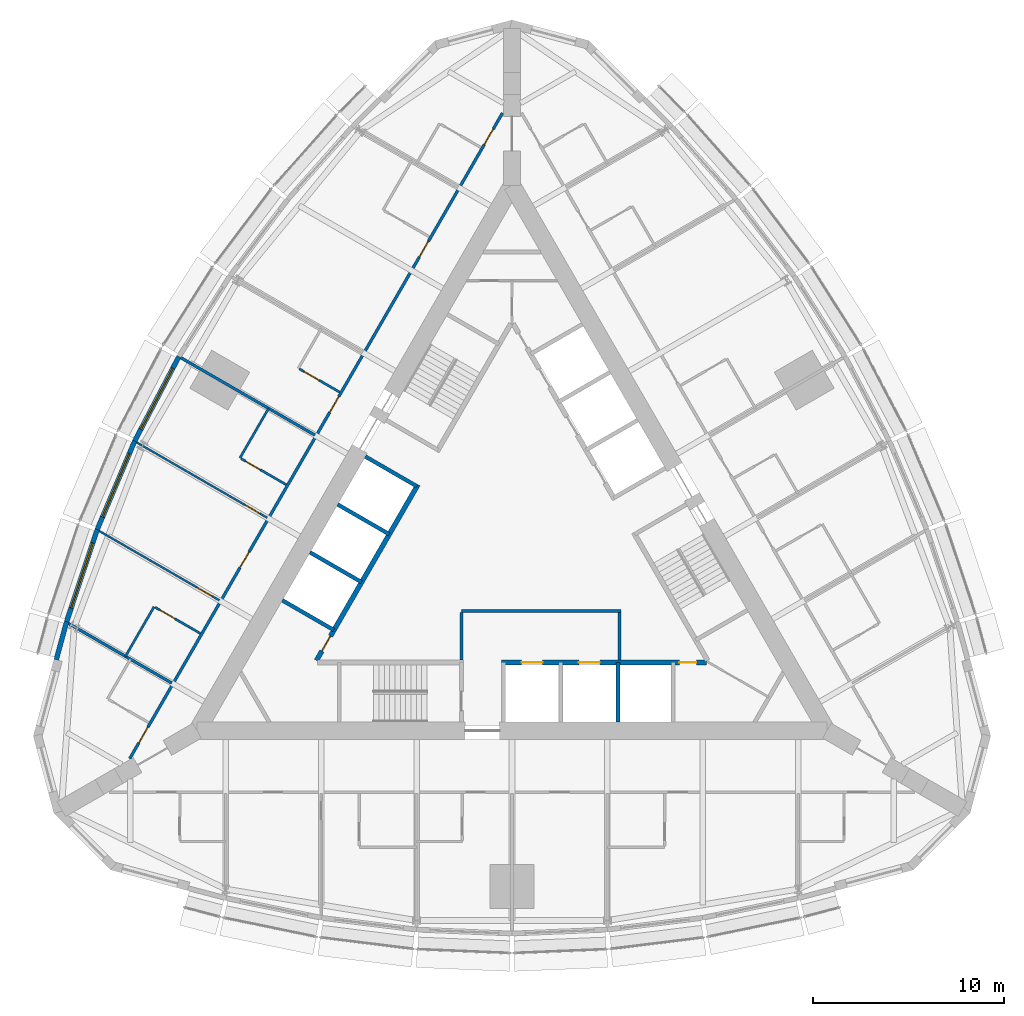
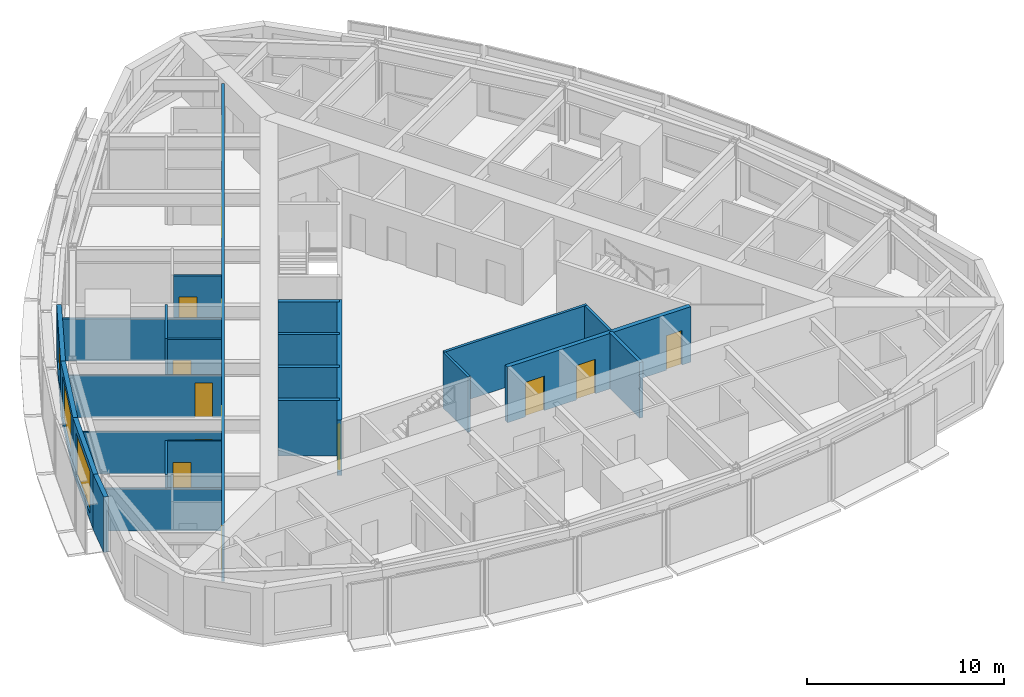
# One storey, part 10 of 15: 24 walls, 14 doors, 3 windows, 17 openings.
"""IFC4 building model written with IfcOpenShell, lengths in metres."""

from ifc_helpers import new_model, si_unit, direction, frame, frame_2d, origin, place, context, subcontext, project, spatial, rectangle, extrude, material, layer, layer_set, type_object, element, fill, save


model = new_model("IFC4")

# Units and contexts
model_context = context("Model", 3, precision=1e-05, world=origin(), true_north=direction((0.0, 1.0)))
body_context = subcontext(model_context, "Body", "Model", "MODEL_VIEW")
ifc_project = project(units=[si_unit("LENGTHUNIT", "METRE"), si_unit("AREAUNIT", "SQUARE_METRE"), si_unit("VOLUMEUNIT", "CUBIC_METRE"), si_unit("PLANEANGLEUNIT", "RADIAN"), si_unit("MASSUNIT", "GRAM", prefix="KILO")], contexts=[model_context])

# Site, building, storey
site_placement = place(None, origin())
site = spatial("IfcSite", under=ifc_project, at=site_placement, CompositionType="ELEMENT")
building_placement = place(site_placement, origin())
building = spatial("IfcBuilding", under=site, at=building_placement, Name="Trikona Tower", CompositionType="ELEMENT")
storey_placement = place(building_placement, frame((0.0, 0.0, 200.89990234375)))
storey = spatial("IfcBuildingStorey", under=building, at=storey_placement, Name="L53", CompositionType="ELEMENT", Elevation=200.89990234375)

# Wall, opening, door
ifc_material_1 = material(Name="Metal stud and cement board", Category="gypsum")
ifc_layer_1 = layer(ifc_material_1, 0.1201171875)
ifc_layer_set_1 = layer_set([ifc_layer_1], Name="Bathroom wall 120")
wall_type_1 = type_object("IfcWallType", Name="Bathroom wall 120", PredefinedType="PLUMBINGWALL", material=ifc_layer_set_1)
wall_1_placement = place(storey_placement, frame((-9.028564453125, 8.21484375, 0.0), z_axis=(0.0, 0.0, 1.0), x_axis=(-0.866023955769, 0.500002508028, 0.0)))
wall_1 = element("IfcWall", 1, at=wall_1_placement, inside=storey, type_object=wall_type_1, Name="Bathroom wall 5314", PredefinedType="PLUMBINGWALL", context=body_context, shape_type="SweptSolid", body=[
    extrude(rectangle(XDim=2.43994140625, YDim=0.1201171875, at=frame_2d((1.219970703125, 0.0))), origin(), (0.0, 0.0, 1.0), 3.43505859375),
])
opening_1_placement = place(wall_1_placement, frame((1.25, 0.0, 0.0)))
opening_1 = element("IfcOpeningElement", 2, at=opening_1_placement, cuts=wall_1, Name="Opening D2", PredefinedType="OPENING", context=body_context, shape_type="SweptSolid", body=[
    extrude(rectangle(XDim=0.89990234375, YDim=2.1298828125, at=frame_2d((0.449951171875, 1.06494140625))), frame((0.0, 0.070068359375, 0.0), z_axis=(0.0, -1.0, 0.0), x_axis=(1.0, 0.0, 0.0)), (0.0, 0.0, 1.0), 0.14013671875),
])
ifc_material_2 = material(Name="Steel door frame with solid-core timber leaf", Category="steel")
door_type_1 = type_object("IfcDoorType", Name="Bathroom door 900x2130", OperationType="SLIDING_TO_LEFT", PredefinedType="DOOR", material=ifc_material_2)
door_1_placement = place(opening_1_placement, origin())
door_1 = element("IfcDoor", 3, at=door_1_placement, inside=storey, type_object=door_type_1, Name="Bathroom door 5314", OperationType="SLIDING_TO_LEFT", OverallHeight=2.1298828125, OverallWidth=0.89990234375, PredefinedType="DOOR", context=body_context, shape_type="SweptSolid", body=[
    extrude(rectangle(XDim=0.89990234375, YDim=2.1298828125, at=frame_2d((0.449951171875, 1.06494140625))), frame((0.0, 0.02490234375, 0.0), z_axis=(0.0, -1.0, 0.0), x_axis=(1.0, 0.0, 0.0)), (0.0, 0.0, 1.0), 0.050048828125),
])
fill(opening_1, door_1)

# Wall
wall_2_placement = place(storey_placement, frame((-12.75341796875, 7.363037109375, 0.0), z_axis=(0.0, 0.0, 1.0), x_axis=(-0.50002537861, -0.866010750942, 0.0)))
element("IfcWall", 4, at=wall_2_placement, inside=storey, type_object=wall_type_1, Name="Bathroom wall 5315.1", PredefinedType="PLUMBINGWALL", context=body_context, shape_type="SweptSolid", body=[
    extrude(rectangle(XDim=2.999755859375, YDim=0.1201171875, at=frame_2d((1.5, 0.0))), origin(), (0.0, 0.0, 1.0), 3.43505859375),
])

# Wall, opening, door
wall_3_placement = place(storey_placement, frame((-11.82861328125, 3.364990234375, 0.0), z_axis=(0.0, 0.0, 1.0), x_axis=(-0.865997131366, 0.500048966069, 0.0)))
wall_3 = element("IfcWall", 5, at=wall_3_placement, inside=storey, type_object=wall_type_1, Name="Bathroom wall 5315.1", PredefinedType="PLUMBINGWALL", context=body_context, shape_type="SweptSolid", body=[
    extrude(rectangle(XDim=2.739990234375, YDim=0.1201171875, at=frame_2d((1.3701171875, 0.0))), origin(), (0.0, 0.0, 1.0), 3.43505859375),
])
opening_2_placement = place(wall_3_placement, frame((1.550048828125, 0.0, 0.0)))
opening_2 = element("IfcOpeningElement", 6, at=opening_2_placement, cuts=wall_3, Name="Opening D2", PredefinedType="OPENING", context=body_context, shape_type="SweptSolid", body=[
    extrude(rectangle(XDim=0.89990234375, YDim=2.1298828125, at=frame_2d((0.449951171875, 1.06494140625))), frame((0.0, 0.070068359375, 0.0), z_axis=(0.0, -1.0, 0.0), x_axis=(1.0, 0.0, 0.0)), (0.0, 0.0, 1.0), 0.14013671875),
])
door_2_placement = place(opening_2_placement, origin())
door_2 = element("IfcDoor", 7, at=door_2_placement, inside=storey, type_object=door_type_1, Name="Bathroom door 5315.1", OperationType="SLIDING_TO_LEFT", OverallHeight=2.1298828125, OverallWidth=0.89990234375, PredefinedType="DOOR", context=body_context, shape_type="SweptSolid", body=[
    extrude(rectangle(XDim=0.89990234375, YDim=2.1298828125, at=frame_2d((0.449951171875, 1.06494140625))), frame((0.0, 0.02490234375, 0.0), z_axis=(0.0, -1.0, 0.0), x_axis=(1.0, 0.0, 0.0)), (0.0, 0.0, 1.0), 0.050048828125),
])
fill(opening_2, door_2)

# Wall
wall_4_placement = place(storey_placement, frame((-18.75341796875, -3.029296875, 0.0), z_axis=(0.0, 0.0, 1.0), x_axis=(-0.50002537861, -0.866010750942, 0.0)))
element("IfcWall", 8, at=wall_4_placement, inside=storey, type_object=wall_type_1, Name="Bathroom wall 5315.2", PredefinedType="PLUMBINGWALL", context=body_context, shape_type="SweptSolid", body=[
    extrude(rectangle(XDim=2.999755859375, YDim=0.1201171875, at=frame_2d((1.5, 0.0))), origin(), (0.0, 0.0, 1.0), 3.43505859375),
])

# Wall, opening, door
wall_5_placement = place(storey_placement, frame((-16.32861328125, -4.42919921875, 0.0), z_axis=(0.0, 0.0, 1.0), x_axis=(-0.865997131366, 0.500048966069, 0.0)))
wall_5 = element("IfcWall", 9, at=wall_5_placement, inside=storey, type_object=wall_type_1, Name="Bathroom wall 5315.2", PredefinedType="PLUMBINGWALL", context=body_context, shape_type="SweptSolid", body=[
    extrude(rectangle(XDim=2.739990234375, YDim=0.1201171875, at=frame_2d((1.3701171875, 0.0))), origin(), (0.0, 0.0, 1.0), 3.43505859375),
])
opening_3_placement = place(wall_5_placement, frame((1.550048828125, 0.0, 0.0)))
opening_3 = element("IfcOpeningElement", 10, at=opening_3_placement, cuts=wall_5, Name="Opening D2", PredefinedType="OPENING", context=body_context, shape_type="SweptSolid", body=[
    extrude(rectangle(XDim=0.89990234375, YDim=2.1298828125, at=frame_2d((0.449951171875, 1.06494140625))), frame((0.0, 0.070068359375, 0.0), z_axis=(0.0, -1.0, 0.0), x_axis=(1.0, 0.0, 0.0)), (0.0, 0.0, 1.0), 0.14013671875),
])
door_3_placement = place(opening_3_placement, origin())
door_3 = element("IfcDoor", 11, at=door_3_placement, inside=storey, type_object=door_type_1, Name="Bathroom door 5315.2", OperationType="SLIDING_TO_LEFT", OverallHeight=2.1298828125, OverallWidth=0.89990234375, PredefinedType="DOOR", context=body_context, shape_type="SweptSolid", body=[
    extrude(rectangle(XDim=0.89990234375, YDim=2.1298828125, at=frame_2d((0.449951171875, 1.06494140625))), frame((0.0, 0.02490234375, 0.0), z_axis=(0.0, -1.0, 0.0), x_axis=(1.0, 0.0, 0.0)), (0.0, 0.0, 1.0), 0.050048828125),
])
fill(opening_3, door_3)

# Wall, openings, doors
ifc_material_3 = material(Name="Metal stud and gypsum board, 1-hour", Category="gypsum")
ifc_layer_2 = layer(ifc_material_3, 0.14990234375)
ifc_layer_set_2 = layer_set([ifc_layer_2], Name="Corridor wall 150")
wall_type_2 = type_object("IfcWallType", Name="Corridor wall 150", PredefinedType="PARTITIONING", material=ifc_layer_set_2)
wall_6_placement = place(storey_placement, frame((-0.5, 22.83642578125, 0.0), z_axis=(0.0, 0.0, 1.0), x_axis=(-0.500001677587, -0.866024435227, 0.0)))
wall_6 = element("IfcWall", 12, at=wall_6_placement, inside=storey, type_object=wall_type_2, Name="Corridor wall L53-3", PredefinedType="PARTITIONING", context=body_context, shape_type="SweptSolid", body=[
    extrude(rectangle(XDim=39.053955078125, YDim=0.14990234375, at=frame_2d((19.52685546875, 0.0))), origin(), (0.0, 0.0, 1.0), 3.43505859375),
])
opening_4_placement = place(wall_6_placement, frame((0.951904296875, 0.0, 0.0)))
opening_4 = element("IfcOpeningElement", 13, at=opening_4_placement, cuts=wall_6, Name="Opening D1", PredefinedType="OPENING", context=body_context, shape_type="SweptSolid", body=[
    extrude(rectangle(XDim=0.949951171875, YDim=2.1298828125, at=frame_2d((0.47509765625, 1.06494140625))), frame((0.0, 0.0849609375, 0.0), z_axis=(0.0, -1.0, 0.0), x_axis=(1.0, 0.0, 0.0)), (0.0, 0.0, 1.0), 0.169921875),
])
opening_5_placement = place(wall_6_placement, frame((7.751953125, 0.0, 0.0)))
opening_5 = element("IfcOpeningElement", 14, at=opening_5_placement, cuts=wall_6, Name="Opening D1", PredefinedType="OPENING", context=body_context, shape_type="SweptSolid", body=[
    extrude(rectangle(XDim=0.949951171875, YDim=2.1298828125, at=frame_2d((0.47509765625, 1.06494140625))), frame((0.0, 0.0849609375, 0.0), z_axis=(0.0, -1.0, 0.0), x_axis=(1.0, 0.0, 0.0)), (0.0, 0.0, 1.0), 0.169921875),
])
opening_6_placement = place(wall_6_placement, frame((17.152099609375, 0.0, 0.0)))
opening_6 = element("IfcOpeningElement", 15, at=opening_6_placement, cuts=wall_6, Name="Opening D1", PredefinedType="OPENING", context=body_context, shape_type="SweptSolid", body=[
    extrude(rectangle(XDim=0.949951171875, YDim=2.1298828125, at=frame_2d((0.47509765625, 1.06494140625))), frame((0.0, 0.0849609375, 0.0), z_axis=(0.0, -1.0, 0.0), x_axis=(1.0, 0.0, 0.0)), (0.0, 0.0, 1.0), 0.169921875),
])
opening_7_placement = place(wall_6_placement, frame((26.552001953125, 0.0, 0.0)))
opening_7 = element("IfcOpeningElement", 16, at=opening_7_placement, cuts=wall_6, Name="Opening D1", PredefinedType="OPENING", context=body_context, shape_type="SweptSolid", body=[
    extrude(rectangle(XDim=0.949951171875, YDim=2.1298828125, at=frame_2d((0.47509765625, 1.06494140625))), frame((0.0, 0.0849609375, 0.0), z_axis=(0.0, -1.0, 0.0), x_axis=(1.0, 0.0, 0.0)), (0.0, 0.0, 1.0), 0.169921875),
])
opening_8_placement = place(wall_6_placement, frame((37.152099609375, 0.0, 0.0)))
opening_8 = element("IfcOpeningElement", 17, at=opening_8_placement, cuts=wall_6, Name="Opening D1", PredefinedType="OPENING", context=body_context, shape_type="SweptSolid", body=[
    extrude(rectangle(XDim=0.949951171875, YDim=2.1298828125, at=frame_2d((0.47509765625, 1.06494140625))), frame((0.0, 0.0849609375, 0.0), z_axis=(0.0, -1.0, 0.0), x_axis=(1.0, 0.0, 0.0)), (0.0, 0.0, 1.0), 0.169921875),
])
ifc_material_4 = material(Name="Steel door frame with solid-core timber leaf", Category="steel")
door_type_2 = type_object("IfcDoorType", Name="Guest room door 950x2130", OperationType="SINGLE_SWING_LEFT", PredefinedType="DOOR", material=ifc_material_4)
door_4_placement = place(opening_4_placement, origin())
door_4 = element("IfcDoor", 18, at=door_4_placement, inside=storey, type_object=door_type_2, Name="Room door 5312", OperationType="SINGLE_SWING_LEFT", OverallHeight=2.1298828125, OverallWidth=0.949951171875, PredefinedType="DOOR", context=body_context, shape_type="SweptSolid", body=[
    extrude(rectangle(XDim=0.949951171875, YDim=2.1298828125, at=frame_2d((0.47509765625, 1.06494140625))), frame((0.0, 0.02490234375, 0.0), z_axis=(0.0, -1.0, 0.0), x_axis=(1.0, 0.0, 0.0)), (0.0, 0.0, 1.0), 0.050048828125),
])
fill(opening_4, door_4)
door_5_placement = place(opening_5_placement, origin())
door_5 = element("IfcDoor", 19, at=door_5_placement, inside=storey, type_object=door_type_2, Name="Room door 5313", OperationType="SINGLE_SWING_RIGHT", OverallHeight=2.1298828125, OverallWidth=0.949951171875, PredefinedType="DOOR", context=body_context, shape_type="SweptSolid", body=[
    extrude(rectangle(XDim=0.949951171875, YDim=2.1298828125, at=frame_2d((0.47509765625, 1.06494140625))), frame((0.0, 0.02490234375, 0.0), z_axis=(0.0, -1.0, 0.0), x_axis=(1.0, 0.0, 0.0)), (0.0, 0.0, 1.0), 0.050048828125),
])
fill(opening_5, door_5)
door_6_placement = place(opening_6_placement, origin())
door_6 = element("IfcDoor", 20, at=door_6_placement, inside=storey, type_object=door_type_2, Name="Room door 5314", OperationType="SINGLE_SWING_LEFT", OverallHeight=2.1298828125, OverallWidth=0.949951171875, PredefinedType="DOOR", context=body_context, shape_type="SweptSolid", body=[
    extrude(rectangle(XDim=0.949951171875, YDim=2.1298828125, at=frame_2d((0.47509765625, 1.06494140625))), frame((0.0, 0.02490234375, 0.0), z_axis=(0.0, -1.0, 0.0), x_axis=(1.0, 0.0, 0.0)), (0.0, 0.0, 1.0), 0.050048828125),
])
fill(opening_6, door_6)
door_7_placement = place(opening_7_placement, origin())
door_7 = element("IfcDoor", 21, at=door_7_placement, inside=storey, type_object=door_type_2, Name="Room door 5315", OperationType="SINGLE_SWING_RIGHT", OverallHeight=2.1298828125, OverallWidth=0.949951171875, PredefinedType="DOOR", context=body_context, shape_type="SweptSolid", body=[
    extrude(rectangle(XDim=0.949951171875, YDim=2.1298828125, at=frame_2d((0.47509765625, 1.06494140625))), frame((0.0, 0.02490234375, 0.0), z_axis=(0.0, -1.0, 0.0), x_axis=(1.0, 0.0, 0.0)), (0.0, 0.0, 1.0), 0.050048828125),
])
fill(opening_7, door_7)
door_8_placement = place(opening_8_placement, origin())
door_8 = element("IfcDoor", 22, at=door_8_placement, inside=storey, type_object=door_type_2, Name="Room door 5316", OperationType="SINGLE_SWING_RIGHT", OverallHeight=2.1298828125, OverallWidth=0.949951171875, PredefinedType="DOOR", context=body_context, shape_type="SweptSolid", body=[
    extrude(rectangle(XDim=0.949951171875, YDim=2.1298828125, at=frame_2d((0.47509765625, 1.06494140625))), frame((0.0, 0.02490234375, 0.0), z_axis=(0.0, -1.0, 0.0), x_axis=(1.0, 0.0, 0.0)), (0.0, 0.0, 1.0), 0.050048828125),
])
fill(opening_8, door_8)

ifc_material_5 = material(Name="Concrete f'c 8000 psi", Category="concrete")
ifc_layer_3 = layer(ifc_material_5, 0.25)
ifc_layer_set_3 = layer_set([ifc_layer_3], Name="Hub wall 250")
wall_type_3 = type_object("IfcWallType", Name="Hub wall 250", PredefinedType="SOLIDWALL", material=ifc_layer_set_3)
wall_7_placement = place(storey_placement, frame((-0.550048828125, -5.951416015625, 0.0), z_axis=(0.0, 0.0, 1.0), x_axis=(1.0, 0.0, 0.0)))
wall_7 = element("IfcWall", 23, at=wall_7_placement, inside=storey, type_object=wall_type_3, Name="Lift lobby wall A2", PredefinedType="SOLIDWALL", context=body_context, shape_type="SweptSolid", body=[
    extrude(rectangle(XDim=10.73291015625, YDim=0.25, at=frame_2d((5.366455078125, 0.0))), origin(), (0.0, 0.0, 1.0), 3.43505859375),
])
opening_9_placement = place(wall_7_placement, frame((9.31396484375, 0.0, 0.0)))
opening_9 = element("IfcOpeningElement", 24, at=opening_9_placement, cuts=wall_7, Name="Opening D14", PredefinedType="OPENING", context=body_context, shape_type="SweptSolid", body=[
    extrude(rectangle(XDim=0.89990234375, YDim=2.1298828125, at=frame_2d((0.449951171875, 1.06494140625))), frame((0.0, 0.135009765625, 0.0), z_axis=(0.0, -1.0, 0.0), x_axis=(1.0, 0.0, 0.0)), (0.0, 0.0, 1.0), 0.27001953125),
])
opening_10_placement = place(wall_7_placement, frame((1.050048828125, 0.0, 0.0)))
opening_10 = element("IfcOpeningElement", 25, at=opening_10_placement, cuts=wall_7, Name="Opening LD", PredefinedType="OPENING", context=body_context, shape_type="SweptSolid", body=[
    extrude(rectangle(XDim=1.10009765625, YDim=2.1298828125, at=frame_2d((0.550048828125, 1.06494140625))), frame((0.0, 0.135009765625, 0.0), z_axis=(0.0, -1.0, 0.0), x_axis=(1.0, 0.0, 0.0)), (0.0, 0.0, 1.0), 0.27001953125),
])
opening_11_placement = place(wall_7_placement, frame((4.050048828125, 0.0, 0.0)))
opening_11 = element("IfcOpeningElement", 26, at=opening_11_placement, cuts=wall_7, Name="Opening LD", PredefinedType="OPENING", context=body_context, shape_type="SweptSolid", body=[
    extrude(rectangle(XDim=1.10009765625, YDim=2.1298828125, at=frame_2d((0.550048828125, 1.06494140625))), frame((0.0, 0.135009765625, 0.0), z_axis=(0.0, -1.0, 0.0), x_axis=(1.0, 0.0, 0.0)), (0.0, 0.0, 1.0), 0.27001953125),
])
ifc_material_6 = material(Name="Stainless steel lift landing door", Category="steel")
door_type_3 = type_object("IfcDoorType", Name="Lift landing door 1100x2130", OperationType="DOUBLE_DOOR_SLIDING", PredefinedType="USERDEFINED", material=ifc_material_6)
door_9_placement = place(opening_10_placement, origin())
door_9 = element("IfcDoor", 27, at=door_9_placement, inside=storey, type_object=door_type_3, Name="Lift landing door FF1", ObjectType="LIFT LANDING DOOR", OperationType="DOUBLE_DOOR_SLIDING", OverallHeight=2.1298828125, OverallWidth=1.10009765625, PredefinedType="USERDEFINED", context=body_context, shape_type="SweptSolid", body=[
    extrude(rectangle(XDim=1.10009765625, YDim=2.1298828125, at=frame_2d((0.550048828125, 1.06494140625))), frame((0.0, 0.02490234375, 0.0), z_axis=(0.0, -1.0, 0.0), x_axis=(1.0, 0.0, 0.0)), (0.0, 0.0, 1.0), 0.050048828125),
])
fill(opening_10, door_9)
door_10_placement = place(opening_11_placement, origin())
door_10 = element("IfcDoor", 28, at=door_10_placement, inside=storey, type_object=door_type_3, Name="Lift landing door FF2", ObjectType="LIFT LANDING DOOR", OperationType="DOUBLE_DOOR_SLIDING", OverallHeight=2.1298828125, OverallWidth=1.10009765625, PredefinedType="USERDEFINED", context=body_context, shape_type="SweptSolid", body=[
    extrude(rectangle(XDim=1.10009765625, YDim=2.1298828125, at=frame_2d((0.550048828125, 1.06494140625))), frame((0.0, 0.02490234375, 0.0), z_axis=(0.0, -1.0, 0.0), x_axis=(1.0, 0.0, 0.0)), (0.0, 0.0, 1.0), 0.050048828125),
])
fill(opening_11, door_10)
ifc_material_7 = material(Name="Hollow metal door and frame", Category="steel")
door_type_4 = type_object("IfcDoorType", Name="Service room door 900x2130", OperationType="SINGLE_SWING_LEFT", PredefinedType="DOOR", material=ifc_material_7)
door_11_placement = place(opening_9_placement, origin())
door_11 = element("IfcDoor", 29, at=door_11_placement, inside=storey, type_object=door_type_4, Name="Door Ice and vending ICE", OperationType="SINGLE_SWING_RIGHT", OverallHeight=2.1298828125, OverallWidth=0.89990234375, PredefinedType="DOOR", context=body_context, shape_type="SweptSolid", body=[
    extrude(rectangle(XDim=0.89990234375, YDim=2.1298828125, at=frame_2d((0.449951171875, 1.06494140625))), frame((0.0, 0.02490234375, 0.0), z_axis=(0.0, -1.0, 0.0), x_axis=(1.0, 0.0, 0.0)), (0.0, 0.0, 1.0), 0.050048828125),
])
fill(opening_9, door_11)

# Wall, opening, door
wall_8_placement = place(storey_placement, frame((-4.928955078125, 3.365478515625, 0.0), z_axis=(0.0, 0.0, 1.0), x_axis=(-0.499991433582, -0.866030349552, 0.0)))
wall_8 = element("IfcWall", 30, at=wall_8_placement, inside=storey, type_object=wall_type_3, Name="Lift lobby wall C2", PredefinedType="SOLIDWALL", context=body_context, shape_type="SweptSolid", body=[
    extrude(rectangle(XDim=10.633056640625, YDim=0.25, at=frame_2d((5.31640625, 0.0))), origin(), (0.0, 0.0, 1.0), 3.43505859375),
])
opening_12_placement = place(wall_8_placement, frame((9.1640625, 0.0, 0.0)))
opening_12 = element("IfcOpeningElement", 31, at=opening_12_placement, cuts=wall_8, Name="Opening D14", PredefinedType="OPENING", context=body_context, shape_type="SweptSolid", body=[
    extrude(rectangle(XDim=0.89990234375, YDim=2.1298828125, at=frame_2d((0.449951171875, 1.06494140625))), frame((0.0, 0.135009765625, 0.0), z_axis=(0.0, -1.0, 0.0), x_axis=(1.0, 0.0, 0.0)), (0.0, 0.0, 1.0), 0.27001953125),
])
door_12_placement = place(opening_12_placement, origin())
door_12 = element("IfcDoor", 32, at=door_12_placement, inside=storey, type_object=door_type_4, Name="Door Linen store LIN", OperationType="SINGLE_SWING_RIGHT", OverallHeight=2.1298828125, OverallWidth=0.89990234375, PredefinedType="DOOR", context=body_context, shape_type="SweptSolid", body=[
    extrude(rectangle(XDim=0.89990234375, YDim=2.1298828125, at=frame_2d((0.449951171875, 1.06494140625))), frame((0.0, 0.02490234375, 0.0), z_axis=(0.0, -1.0, 0.0), x_axis=(1.0, 0.0, 0.0)), (0.0, 0.0, 1.0), 0.050048828125),
])
fill(opening_12, door_12)

# Wall, opening, window
ifc_material_8 = material(Name="Insulated precast concrete spandrel panel", Category="concrete")
ifc_layer_4 = layer(ifc_material_8, 0.25)
ifc_layer_set_4 = layer_set([ifc_layer_4], Name="Inner skin wall 250")
wall_type_4 = type_object("IfcWallType", Name="Inner skin wall 250", PredefinedType="STANDARD", material=ifc_layer_set_4)
wall_9_placement = place(storey_placement, frame((-17.450439453125, 10.080810546875, 0.0), z_axis=(0.0, 0.0, 1.0), x_axis=(-0.463976002579, -0.885847768542, 0.0)))
wall_9 = element("IfcWall", 33, at=wall_9_placement, inside=storey, type_object=wall_type_4, Name="External wall L53-28", PredefinedType="STANDARD", context=body_context, shape_type="SweptSolid", body=[
    extrude(rectangle(XDim=5.004150390625, YDim=0.25, at=frame_2d((2.501953125, 0.0))), origin(), (0.0, 0.0, 1.0), 3.43505859375),
])
opening_13_placement = place(wall_9_placement, frame((0.7021484375, 0.0, 0.449951171875)))
opening_13 = element("IfcOpeningElement", 34, at=opening_13_placement, cuts=wall_9, Name="Opening W3626", PredefinedType="OPENING", context=body_context, shape_type="SweptSolid", body=[
    extrude(rectangle(XDim=3.60009765625, YDim=2.60009765625, at=frame_2d((1.800048828125, 1.300048828125))), frame((0.0, 0.135009765625, 0.0), z_axis=(0.0, -1.0, 0.0), x_axis=(1.0, 0.0, 0.0)), (0.0, 0.0, 1.0), 0.27001953125),
])
ifc_material_9 = material(Name="Aluminium-framed double glazing", Category="aluminium")
window_type = type_object("IfcWindowType", Name="Window 3600x2600", PartitioningType="SINGLE_PANEL", PredefinedType="WINDOW", material=ifc_material_9)
window_1_placement = place(opening_13_placement, origin())
window_1 = element("IfcWindow", 35, at=window_1_placement, inside=storey, type_object=window_type, Name="Window 5315.1", OverallHeight=2.60009765625, OverallWidth=3.60009765625, PartitioningType="SINGLE_PANEL", PredefinedType="WINDOW", context=body_context, shape_type="SweptSolid", body=[
    extrude(rectangle(XDim=3.60009765625, YDim=2.60009765625, at=frame_2d((1.800048828125, 1.300048828125))), frame((0.0, 0.030029296875, 0.0), z_axis=(0.0, -1.0, 0.0), x_axis=(1.0, 0.0, 0.0)), (0.0, 0.0, 1.0), 0.06005859375),
])
fill(opening_13, window_1)

wall_10_placement = place(storey_placement, frame((-19.767578125, 5.656982421875, 0.0), z_axis=(0.0, 0.0, 1.0), x_axis=(-0.390096809471, -0.920773848044, 0.0)))
wall_10 = element("IfcWall", 36, at=wall_10_placement, inside=storey, type_object=wall_type_4, Name="External wall L53-29", PredefinedType="STANDARD", context=body_context, shape_type="SweptSolid", body=[
    extrude(rectangle(XDim=5.0380859375, YDim=0.25, at=frame_2d((2.51904296875, 0.0))), origin(), (0.0, 0.0, 1.0), 3.43505859375),
])
opening_14_placement = place(wall_10_placement, frame((0.718994140625, 0.0, 0.449951171875)))
opening_14 = element("IfcOpeningElement", 37, at=opening_14_placement, cuts=wall_10, Name="Opening W3626", PredefinedType="OPENING", context=body_context, shape_type="SweptSolid", body=[
    extrude(rectangle(XDim=3.60009765625, YDim=2.60009765625, at=frame_2d((1.800048828125, 1.300048828125))), frame((0.0, 0.135009765625, 0.0), z_axis=(0.0, -1.0, 0.0), x_axis=(1.0, 0.0, 0.0)), (0.0, 0.0, 1.0), 0.27001953125),
])
window_2_placement = place(opening_14_placement, origin())
window_2 = element("IfcWindow", 38, at=window_2_placement, inside=storey, type_object=window_type, Name="Window 5315", OverallHeight=2.60009765625, OverallWidth=3.60009765625, PartitioningType="SINGLE_PANEL", PredefinedType="WINDOW", context=body_context, shape_type="SweptSolid", body=[
    extrude(rectangle(XDim=3.60009765625, YDim=2.60009765625, at=frame_2d((1.800048828125, 1.300048828125))), frame((0.0, 0.030029296875, 0.0), z_axis=(0.0, -1.0, 0.0), x_axis=(1.0, 0.0, 0.0)), (0.0, 0.0, 1.0), 0.06005859375),
])
fill(opening_14, window_2)

wall_11_placement = place(storey_placement, frame((-21.729248046875, 1.027587890625, 0.0), z_axis=(0.0, 0.0, 1.0), x_axis=(-0.315108478109, -0.949055660656, 0.0)))
wall_11 = element("IfcWall", 39, at=wall_11_placement, inside=storey, type_object=wall_type_4, Name="External wall L53-30", PredefinedType="STANDARD", context=body_context, shape_type="SweptSolid", body=[
    extrude(rectangle(XDim=5.10498046875, YDim=0.25, at=frame_2d((2.552490234375, 0.0))), origin(), (0.0, 0.0, 1.0), 3.43505859375),
])
opening_15_placement = place(wall_11_placement, frame((0.75244140625, 0.0, 0.449951171875)))
opening_15 = element("IfcOpeningElement", 40, at=opening_15_placement, cuts=wall_11, Name="Opening W3626", PredefinedType="OPENING", context=body_context, shape_type="SweptSolid", body=[
    extrude(rectangle(XDim=3.60009765625, YDim=2.60009765625, at=frame_2d((1.800048828125, 1.300048828125))), frame((0.0, 0.135009765625, 0.0), z_axis=(0.0, -1.0, 0.0), x_axis=(1.0, 0.0, 0.0)), (0.0, 0.0, 1.0), 0.27001953125),
])
window_3_placement = place(opening_15_placement, origin())
window_3 = element("IfcWindow", 41, at=window_3_placement, inside=storey, type_object=window_type, Name="Window 5315.2", OverallHeight=2.60009765625, OverallWidth=3.60009765625, PartitioningType="SINGLE_PANEL", PredefinedType="WINDOW", context=body_context, shape_type="SweptSolid", body=[
    extrude(rectangle(XDim=3.60009765625, YDim=2.60009765625, at=frame_2d((1.800048828125, 1.300048828125))), frame((0.0, 0.030029296875, 0.0), z_axis=(0.0, -1.0, 0.0), x_axis=(1.0, 0.0, 0.0)), (0.0, 0.0, 1.0), 0.06005859375),
])
fill(opening_15, window_3)

# Walls
wall_12_placement = place(storey_placement, frame((-23.335693359375, -3.810791015625, 0.0), z_axis=(0.0, 0.0, 1.0), x_axis=(-0.262867703986, -0.964831887015, 0.0)))
element("IfcWall", 42, at=wall_12_placement, inside=storey, type_object=wall_type_4, Name="External wall L53-31", PredefinedType="STANDARD", context=body_context, shape_type="SweptSolid", body=[
    extrude(rectangle(XDim=2.068359375, YDim=0.25, at=frame_2d((1.0341796875, 0.0))), origin(), (0.0, 0.0, 1.0), 3.43505859375),
])
ifc_material_10 = material(Name="Metal stud and gypsum board, 2-hour shaft wall", Category="gypsum")
ifc_layer_5 = layer(ifc_material_10, 0.14990234375)
ifc_layer_set_5 = layer_set([ifc_layer_5], Name="Lobby wall 150")
wall_type_5 = type_object("IfcWallType", Name="Lobby wall 150", PredefinedType="PARTITIONING", material=ifc_layer_set_5)
wall_13_placement = place(storey_placement, frame((-2.64990234375, -3.251220703125, 0.0), z_axis=(0.0, 0.0, 1.0), x_axis=(1.0, 0.0, 0.0)))
element("IfcWall", 43, at=wall_13_placement, inside=storey, type_object=wall_type_5, Name="Fire service lift lobby wall 1", PredefinedType="PARTITIONING", context=body_context, shape_type="SweptSolid", body=[
    extrude(rectangle(XDim=8.349853515625, YDim=0.14990234375, at=frame_2d((4.1748046875, 0.0))), origin(), (0.0, 0.0, 1.0), 3.43505859375),
])
for number, where, z_axis, x_axis, name in (
    (44, (-2.64990234375, -5.826416015625, 0.0), (0.0, 0.0, 1.0), (0.0, 1.0, 0.0), "Fire service lift lobby wall 2"),
    (45, (5.625, -5.826416015625, 0.0), (0.0, 0.0, 1.0), (0.0, 1.0, 0.0), "Fire service lift lobby wall 3"),
):
    element("IfcWall", number, at=place(storey_placement, frame(where, z_axis=z_axis, x_axis=x_axis)), inside=storey, type_object=wall_type_5, Name=name, PredefinedType="PARTITIONING", context=body_context, shape_type="SweptSolid", body=[
        extrude(rectangle(XDim=2.5, YDim=0.14990234375, at=frame_2d((1.25, 0.0))), origin(), (0.0, 0.0, 1.0), 3.43505859375),
    ])
ifc_material_11 = material(Name="Metal stud and gypsum board, 1-hour acoustic", Category="gypsum")
ifc_layer_6 = layer(ifc_material_11, 0.14990234375)
ifc_layer_set_6 = layer_set([ifc_layer_6], Name="Party wall 150")
wall_type_6 = type_object("IfcWallType", Name="Party wall 150", PredefinedType="PARTITIONING", material=ifc_layer_set_6)
wall_14_placement = place(storey_placement, frame((-10.32861328125, 5.963134765625, 0.0), z_axis=(0.0, 0.0, 1.0), x_axis=(-0.866016460812, 0.500015489362, 0.0)))
element("IfcWall", 46, at=wall_14_placement, inside=storey, type_object=wall_type_6, Name="Partition L53 F3 u0", PredefinedType="PARTITIONING", context=body_context, shape_type="SweptSolid", body=[
    extrude(rectangle(XDim=8.101318359375, YDim=0.14990234375, at=frame_2d((4.05078125, 0.0))), origin(), (0.0, 0.0, 1.0), 2.58935546875),
])
wall_15_placement = place(storey_placement, frame((-17.82861328125, -7.027099609375, 0.0), z_axis=(0.0, 0.0, 1.0), x_axis=(-0.866026604282, 0.499997920671, 0.0)))
element("IfcWall", 47, at=wall_15_placement, inside=storey, type_object=wall_type_6, Name="Partition L53 F3 u15", PredefinedType="PARTITIONING", context=body_context, shape_type="SweptSolid", body=[
    extrude(rectangle(XDim=6.23974609375, YDim=0.14990234375, at=frame_2d((3.119873046875, 0.0))), origin(), (0.0, 0.0, 1.0), 2.58935546875),
])
ifc_material_12 = material(Name="Concrete f'c 8000 psi", Category="concrete")
ifc_layer_7 = layer(ifc_material_12, 0.199951171875)
ifc_layer_set_7 = layer_set([ifc_layer_7], Name="Shaft wall 200")
wall_type_7 = type_object("IfcWallType", Name="Shaft wall 200", PredefinedType="SOLIDWALL", material=ifc_layer_set_7)
for number, where, z_axis, x_axis, name in (
    (48, (5.550048828125, -5.951416015625, 0.0), (0.0, 0.0, 1.0), (0.0, -1.0, 0.0), "Shaft wall A5"),
    (49, (-4.97900390625, 3.27880859375, 0.0), (0.0, 0.0, 1.0), (-0.866022959057, 0.500004234368, 0.0), "Shaft wall C3"),
    (50, (-6.428955078125, 0.767333984375, 0.0), (0.0, 0.0, 1.0), (-0.866022959057, 0.500004234368, 0.0), "Shaft wall C4"),
    (51, (-7.87890625, -1.744140625, 0.0), (0.0, 0.0, 1.0), (-0.866022959057, 0.500004234368, 0.0), "Shaft wall C5"),
    (52, (-9.3291015625, -4.255615234375, 0.0), (0.0, 0.0, 1.0), (-0.866022959057, 0.500004234368, 0.0), "Shaft wall C6"),
):
    element("IfcWall", number, at=place(storey_placement, frame(where, z_axis=z_axis, x_axis=x_axis)), inside=storey, type_object=wall_type_7, Name=name, PredefinedType="SOLIDWALL", context=body_context, shape_type="SweptSolid", body=[
        extrude(rectangle(XDim=3.125, YDim=0.199951171875, at=frame_2d((1.5625, 0.0))), origin(), (0.0, 0.0, 1.0), 3.43505859375),
    ])

# Wall, opening, door
ifc_material_13 = material(Name="Metal stud and gypsum board, acoustic", Category="gypsum")
ifc_layer_8 = layer(ifc_material_13, 0.10009765625)
ifc_layer_set_8 = layer_set([ifc_layer_8], Name="Suite partition 100")
wall_type_8 = type_object("IfcWallType", Name="Suite partition 100", PredefinedType="PARTITIONING", material=ifc_layer_set_8)
wall_16_placement = place(storey_placement, frame((-12.82861328125, 1.633056640625, 0.0), z_axis=(0.0, 0.0, 1.0), x_axis=(-0.866030558329, 0.49999107196, 0.0)))
wall_16 = element("IfcWall", 53, at=wall_16_placement, inside=storey, type_object=wall_type_8, Name="Suite partition L53 F3 u5", PredefinedType="PARTITIONING", context=body_context, shape_type="SweptSolid", body=[
    extrude(rectangle(XDim=7.893798828125, YDim=0.10009765625, at=frame_2d((3.94677734375, 0.0))), origin(), (0.0, 0.0, 1.0), 2.58935546875),
])
opening_16_placement = place(wall_16_placement, frame((0.449951171875, 0.0, 0.0)))
opening_16 = element("IfcOpeningElement", 54, at=opening_16_placement, cuts=wall_16, Name="Opening D13", PredefinedType="OPENING", context=body_context, shape_type="SweptSolid", body=[
    extrude(rectangle(XDim=0.89990234375, YDim=2.1298828125, at=frame_2d((0.449951171875, 1.06494140625))), frame((0.0, 0.06005859375, 0.0), z_axis=(0.0, -1.0, 0.0), x_axis=(1.0, 0.0, 0.0)), (0.0, 0.0, 1.0), 0.1201171875),
])
ifc_material_14 = material(Name="Steel door frame with solid-core timber leaf", Category="steel")
door_type_5 = type_object("IfcDoorType", Name="Suite door 900x2130", OperationType="SINGLE_SWING_LEFT", PredefinedType="DOOR", material=ifc_material_14)
door_13_placement = place(opening_16_placement, origin())
door_13 = element("IfcDoor", 55, at=door_13_placement, inside=storey, type_object=door_type_5, Name="Suite door 5315", OperationType="SINGLE_SWING_LEFT", OverallHeight=2.1298828125, OverallWidth=0.89990234375, PredefinedType="DOOR", context=body_context, shape_type="SweptSolid", body=[
    extrude(rectangle(XDim=0.89990234375, YDim=2.1298828125, at=frame_2d((0.449951171875, 1.06494140625))), frame((0.0, 0.02490234375, 0.0), z_axis=(0.0, -1.0, 0.0), x_axis=(1.0, 0.0, 0.0)), (0.0, 0.0, 1.0), 0.050048828125),
])
fill(opening_16, door_13)

wall_17_placement = place(storey_placement, frame((-15.32861328125, -2.697021484375, 0.0), z_axis=(0.0, 0.0, 1.0), x_axis=(-0.866032413668, 0.499987858329, 0.0)))
wall_17 = element("IfcWall", 56, at=wall_17_placement, inside=storey, type_object=wall_type_8, Name="Suite partition L53 F3 u10", PredefinedType="PARTITIONING", context=body_context, shape_type="SweptSolid", body=[
    extrude(rectangle(XDim=7.272705078125, YDim=0.10009765625, at=frame_2d((3.63623046875, 0.0))), origin(), (0.0, 0.0, 1.0), 2.58935546875),
])
opening_17_placement = place(wall_17_placement, frame((0.449951171875, 0.0, 0.0)))
opening_17 = element("IfcOpeningElement", 57, at=opening_17_placement, cuts=wall_17, Name="Opening D13", PredefinedType="OPENING", context=body_context, shape_type="SweptSolid", body=[
    extrude(rectangle(XDim=0.89990234375, YDim=2.1298828125, at=frame_2d((0.449951171875, 1.06494140625))), frame((0.0, 0.06005859375, 0.0), z_axis=(0.0, -1.0, 0.0), x_axis=(1.0, 0.0, 0.0)), (0.0, 0.0, 1.0), 0.1201171875),
])
door_14_placement = place(opening_17_placement, origin())
door_14 = element("IfcDoor", 58, at=door_14_placement, inside=storey, type_object=door_type_5, Name="Suite door 5315", OperationType="SINGLE_SWING_LEFT", OverallHeight=2.1298828125, OverallWidth=0.89990234375, PredefinedType="DOOR", context=body_context, shape_type="SweptSolid", body=[
    extrude(rectangle(XDim=0.89990234375, YDim=2.1298828125, at=frame_2d((0.449951171875, 1.06494140625))), frame((0.0, 0.02490234375, 0.0), z_axis=(0.0, -1.0, 0.0), x_axis=(1.0, 0.0, 0.0)), (0.0, 0.0, 1.0), 0.050048828125),
])
fill(opening_17, door_14)

save(model, "model.ifc")
